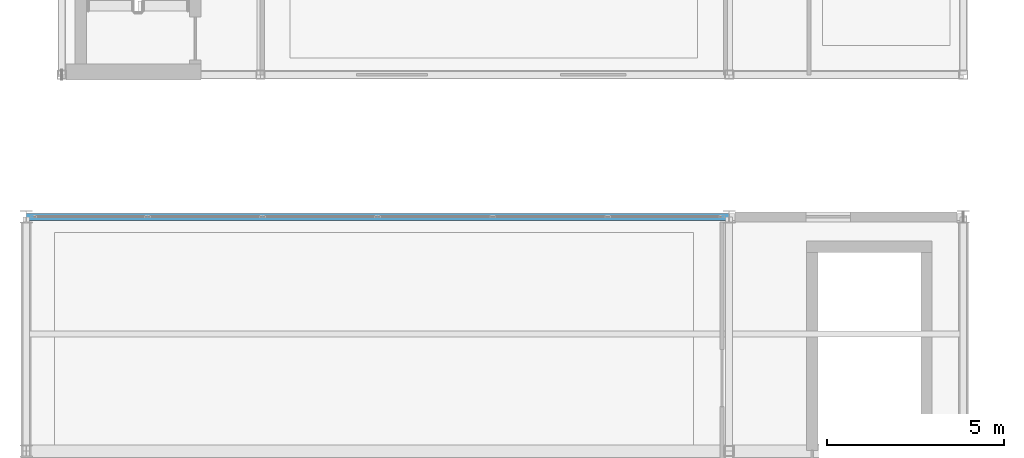
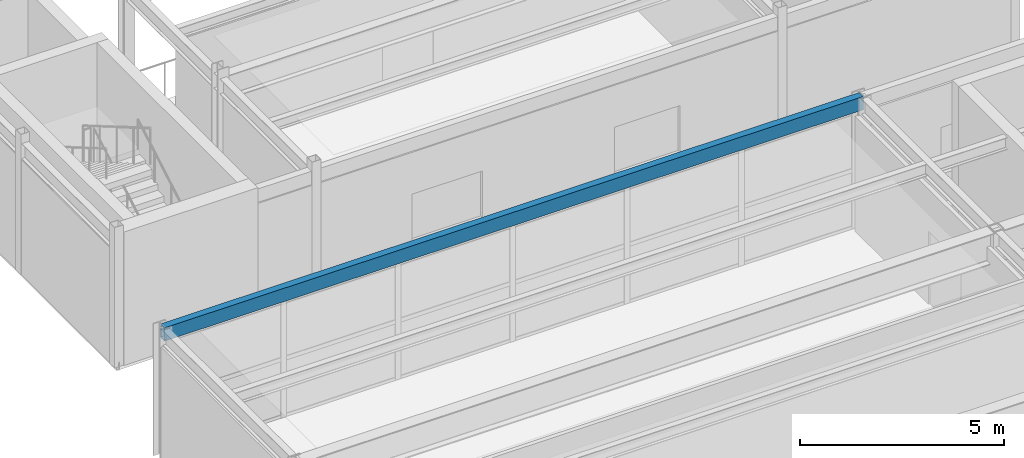
# One storey, part 20 of 147: 1 beam.
"""IFC4 building model written with IfcOpenShell, lengths in metres."""

from ifc_helpers import new_model, si_unit, direction, frame, origin, origin_2d, place, context, subcontext, project, spatial, hollow_rectangle, extrude, material, material_profile, profile_set, type_object, element, save


model = new_model("IFC4")

# Units and contexts
model_context = context("Model", 3, precision=1e-05, world=origin(), true_north=direction((0.0, 1.0)))
body_context = subcontext(model_context, "Body", "Model", "MODEL_VIEW")
ifc_project = project(units=[si_unit("LENGTHUNIT", "METRE"), si_unit("AREAUNIT", "SQUARE_METRE"), si_unit("VOLUMEUNIT", "CUBIC_METRE"), si_unit("PLANEANGLEUNIT", "RADIAN"), si_unit("MASSUNIT", "GRAM", prefix="KILO")], contexts=[model_context])

# Site, building, storey
site_placement = place(None, origin())
site = spatial("IfcSite", under=ifc_project, at=site_placement, CompositionType="ELEMENT")
building_placement = place(site_placement, origin())
building = spatial("IfcBuilding", under=site, at=building_placement, Name="Karori Crest Natural Sciences Institute", CompositionType="ELEMENT")
storey_placement = place(building_placement, frame((0.0, 0.0, 9.10009765625)))
storey = spatial("IfcBuildingStorey", under=building, at=storey_placement, Name="L02", CompositionType="ELEMENT", Elevation=9.10009765625)

# Beam
ifc_material = material(Name="Hollow structural steel AS/NZS 1163 Grade C350", Category="steel")
ifc_material_profile = material_profile(ifc_material, hollow_rectangle(XDim=0.199951171875, YDim=0.39990234375, WallThickness=0.012451171875, at=origin_2d()), Name="RHS400x200x12.5")
ifc_profile_set = profile_set([ifc_material_profile], Name="Hollow structural steel AS/NZS 1163 Grade C350")
beam_type = type_object("IfcBeamType", Name="BT-14", PredefinedType="SPANDREL", material=ifc_profile_set)
beam_placement = place(storey_placement, frame((0.800048828125, 27.199951171875, 3.719970703125), z_axis=(1.0, 0.0, 0.0), x_axis=(0.0, 1.0, 0.0)))
element("IfcBeam", 1, at=beam_placement, inside=storey, type_object=beam_type, Name="Beam B-0851", PredefinedType="SPANDREL", context=body_context, shape_type="SweptSolid", body=[
    extrude(hollow_rectangle(XDim=0.199951171875, YDim=0.39990234375, WallThickness=0.012451171875, at=origin_2d()), origin(), (0.0, 0.0, 1.0), 19.800048828125),
])

save(model, "model.ifc")
